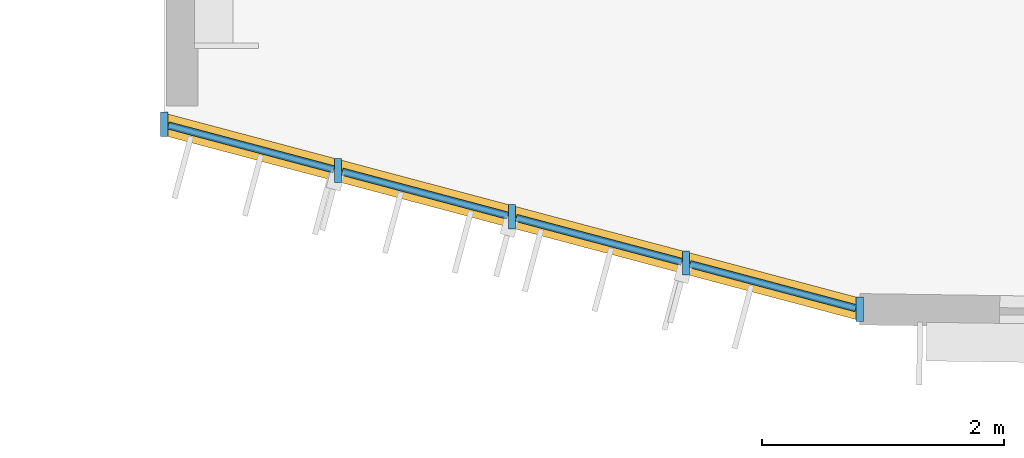
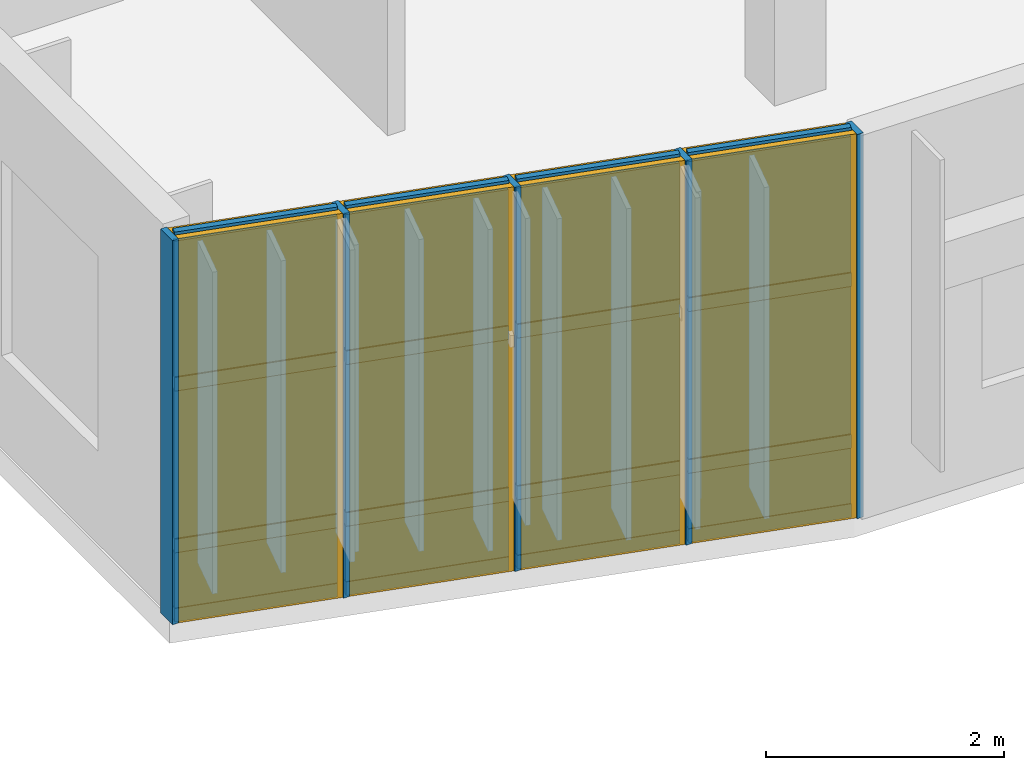
# One storey, part 86 of 122: 21 members, 12 plates, 1 curtain wall.
"""IFC4 building model written with IfcOpenShell, lengths in metres."""

from ifc_helpers import new_model, si_unit, direction, frame, frame_2d, origin, origin_2d, place, context, subcontext, project, spatial, rectangle, extrude, material, layer, layer_set, material_profile, profile_set, type_object, element, aggregate, save


model = new_model("IFC4")

# Units and contexts
model_context = context("Model", 3, precision=1e-05, world=origin(), true_north=direction((0.0, 1.0)))
body_context = subcontext(model_context, "Body", "Model", "MODEL_VIEW")
ifc_project = project(units=[si_unit("LENGTHUNIT", "METRE"), si_unit("AREAUNIT", "SQUARE_METRE"), si_unit("VOLUMEUNIT", "CUBIC_METRE"), si_unit("PLANEANGLEUNIT", "RADIAN"), si_unit("MASSUNIT", "GRAM", prefix="KILO")], contexts=[model_context])

# Member
ifc_material_1 = material(Name="Anodised Bronze Aluminium 6063-T6", Category="aluminium")
ifc_material_profile_1 = material_profile(ifc_material_1, rectangle(XDim=0.06005859375, YDim=0.199951171875, at=origin_2d()), Name="ALU MULLION 60x200")
ifc_profile_set_1 = profile_set([ifc_material_profile_1], Name="Anodised Bronze Aluminium 6063-T6")
member_type_1 = type_object("IfcMemberType", Name="Curtain-Wall Standard Mullion 60x200", PredefinedType="MULLION", material=ifc_profile_set_1)
site_placement = place(None, origin())
building_placement = place(site_placement, origin())
storey_placement = place(building_placement, frame((0.0, 0.0, 4.800048828125)))
member_1_placement = place(storey_placement, frame((125.39990234375, 18.800048828125, 0.0), z_axis=(0.0, 0.0, 1.0), x_axis=(1.0, 0.0, 0.0)))
member_1 = element("IfcMember", 1, at=member_1_placement, type_object=member_type_1, Name="Mullion CWM-03 CW-V4-DRUM-L01-S01-M01", PredefinedType="MULLION", context=body_context, shape_type="SweptSolid", body=[
    extrude(rectangle(XDim=0.06005859375, YDim=0.199951171875, at=origin_2d()), origin(), (0.0, 0.0, 1.0), 3.93994140625),
])

member_2_placement = place(storey_placement, frame((126.839599609375, 18.4169921875, 0.0), z_axis=(0.0, 0.0, 1.0), x_axis=(1.0, 0.0, 0.0)))
member_2 = element("IfcMember", 2, at=member_2_placement, type_object=member_type_1, Name="Mullion CWM-03 CW-V4-DRUM-L01-S01-M02", PredefinedType="MULLION", context=body_context, shape_type="SweptSolid", body=[
    extrude(rectangle(XDim=0.06005859375, YDim=0.199951171875, at=origin_2d()), origin(), (0.0, 0.0, 1.0), 3.93994140625),
])

member_3_placement = place(storey_placement, frame((128.279296875, 18.0341796875, 0.0), z_axis=(0.0, 0.0, 1.0), x_axis=(1.0, 0.0, 0.0)))
member_3 = element("IfcMember", 3, at=member_3_placement, type_object=member_type_1, Name="Mullion CWM-03 CW-V4-DRUM-L01-S01-M03", PredefinedType="MULLION", context=body_context, shape_type="SweptSolid", body=[
    extrude(rectangle(XDim=0.06005859375, YDim=0.199951171875, at=origin_2d()), origin(), (0.0, 0.0, 1.0), 3.93994140625),
])

member_4_placement = place(storey_placement, frame((129.718994140625, 17.651611328125, 0.0), z_axis=(0.0, 0.0, 1.0), x_axis=(1.0, 0.0, 0.0)))
member_4 = element("IfcMember", 4, at=member_4_placement, type_object=member_type_1, Name="Mullion CWM-03 CW-V4-DRUM-L01-S01-M04", PredefinedType="MULLION", context=body_context, shape_type="SweptSolid", body=[
    extrude(rectangle(XDim=0.06005859375, YDim=0.199951171875, at=origin_2d()), origin(), (0.0, 0.0, 1.0), 3.93994140625),
])

member_5_placement = place(storey_placement, frame((131.15869140625, 17.2685546875, 0.0), z_axis=(0.0, 0.0, 1.0), x_axis=(1.0, 0.0, 0.0)))
member_5 = element("IfcMember", 5, at=member_5_placement, type_object=member_type_1, Name="Mullion CWM-03 CW-V4-DRUM-L01-S01-M05", PredefinedType="MULLION", context=body_context, shape_type="SweptSolid", body=[
    extrude(rectangle(XDim=0.06005859375, YDim=0.199951171875, at=origin_2d()), origin(), (0.0, 0.0, 1.0), 3.93994140625),
])

ifc_material_profile_2 = material_profile(ifc_material_1, rectangle(XDim=0.06005859375, YDim=0.139892578125, at=origin_2d()), Name="ALU TRANSOM 60x140")
ifc_profile_set_2 = profile_set([ifc_material_profile_2], Name="Anodised Bronze Aluminium 6063-T6")
member_type_2 = type_object("IfcMemberType", Name="Curtain-Wall Transom 60x140", PredefinedType="USERDEFINED", material=ifc_profile_set_2)
member_6_placement = place(storey_placement, frame((125.433837890625, 18.791015625, 0.0400390625), z_axis=(0.966391732417, -0.257073957289, 0.0), x_axis=(0.257073957289, 0.966391732417, 0.0)))
member_6 = element("IfcMember", 6, at=member_6_placement, type_object=member_type_2, Name="Transom CWT-01 CW-V4-DRUM-L01-S01-T01.1", ObjectType="TRANSOM", PredefinedType="USERDEFINED", context=body_context, shape_type="SweptSolid", body=[
    extrude(rectangle(XDim=0.06005859375, YDim=0.139892578125, at=origin_2d()), origin(), (0.0, 0.0, 1.0), 1.419677734375),
])

member_7_placement = place(storey_placement, frame((125.433837890625, 18.791015625, 0.75), z_axis=(0.966391732417, -0.257073957289, 0.0), x_axis=(0.257073957289, 0.966391732417, 0.0)))
member_7 = element("IfcMember", 7, at=member_7_placement, type_object=member_type_2, Name="Transom CWT-01 CW-V4-DRUM-L01-S01-T01.2", ObjectType="TRANSOM", PredefinedType="USERDEFINED", context=body_context, shape_type="SweptSolid", body=[
    extrude(rectangle(XDim=0.06005859375, YDim=0.139892578125, at=origin_2d()), origin(), (0.0, 0.0, 1.0), 1.419677734375),
])

member_8_placement = place(storey_placement, frame((125.433837890625, 18.791015625, 2.40869140625), z_axis=(0.966391732417, -0.257073957289, 0.0), x_axis=(0.257073957289, 0.966391732417, 0.0)))
member_8 = element("IfcMember", 8, at=member_8_placement, type_object=member_type_2, Name="Transom CWT-01 CW-V4-DRUM-L01-S01-T01.3", ObjectType="TRANSOM", PredefinedType="USERDEFINED", context=body_context, shape_type="SweptSolid", body=[
    extrude(rectangle(XDim=0.06005859375, YDim=0.139892578125, at=origin_2d()), origin(), (0.0, 0.0, 1.0), 1.419677734375),
])

member_9_placement = place(storey_placement, frame((125.433837890625, 18.791015625, 3.89990234375), z_axis=(0.966391732417, -0.257073957289, 0.0), x_axis=(0.257073957289, 0.966391732417, 0.0)))
member_9 = element("IfcMember", 9, at=member_9_placement, type_object=member_type_2, Name="Transom CWT-01 CW-V4-DRUM-L01-S01-T01.4", ObjectType="TRANSOM", PredefinedType="USERDEFINED", context=body_context, shape_type="SweptSolid", body=[
    extrude(rectangle(XDim=0.06005859375, YDim=0.139892578125, at=origin_2d()), origin(), (0.0, 0.0, 1.0), 1.419677734375),
])

member_10_placement = place(storey_placement, frame((126.87353515625, 18.408203125, 0.0400390625), z_axis=(0.966391732417, -0.257073957289, 0.0), x_axis=(0.257073957289, 0.966391732417, 0.0)))
member_10 = element("IfcMember", 10, at=member_10_placement, type_object=member_type_2, Name="Transom CWT-01 CW-V4-DRUM-L01-S01-T02.1", ObjectType="TRANSOM", PredefinedType="USERDEFINED", context=body_context, shape_type="SweptSolid", body=[
    extrude(rectangle(XDim=0.06005859375, YDim=0.139892578125, at=origin_2d()), origin(), (0.0, 0.0, 1.0), 1.419677734375),
])

member_11_placement = place(storey_placement, frame((126.87353515625, 18.408203125, 0.75), z_axis=(0.966391732417, -0.257073957289, 0.0), x_axis=(0.257073957289, 0.966391732417, 0.0)))
member_11 = element("IfcMember", 11, at=member_11_placement, type_object=member_type_2, Name="Transom CWT-01 CW-V4-DRUM-L01-S01-T02.2", ObjectType="TRANSOM", PredefinedType="USERDEFINED", context=body_context, shape_type="SweptSolid", body=[
    extrude(rectangle(XDim=0.06005859375, YDim=0.139892578125, at=origin_2d()), origin(), (0.0, 0.0, 1.0), 1.419677734375),
])

member_12_placement = place(storey_placement, frame((126.87353515625, 18.408203125, 2.40869140625), z_axis=(0.966391732417, -0.257073957289, 0.0), x_axis=(0.257073957289, 0.966391732417, 0.0)))
member_12 = element("IfcMember", 12, at=member_12_placement, type_object=member_type_2, Name="Transom CWT-01 CW-V4-DRUM-L01-S01-T02.3", ObjectType="TRANSOM", PredefinedType="USERDEFINED", context=body_context, shape_type="SweptSolid", body=[
    extrude(rectangle(XDim=0.06005859375, YDim=0.139892578125, at=origin_2d()), origin(), (0.0, 0.0, 1.0), 1.419677734375),
])

member_13_placement = place(storey_placement, frame((126.87353515625, 18.408203125, 3.89990234375), z_axis=(0.966391732417, -0.257073957289, 0.0), x_axis=(0.257073957289, 0.966391732417, 0.0)))
member_13 = element("IfcMember", 13, at=member_13_placement, type_object=member_type_2, Name="Transom CWT-01 CW-V4-DRUM-L01-S01-T02.4", ObjectType="TRANSOM", PredefinedType="USERDEFINED", context=body_context, shape_type="SweptSolid", body=[
    extrude(rectangle(XDim=0.06005859375, YDim=0.139892578125, at=origin_2d()), origin(), (0.0, 0.0, 1.0), 1.419677734375),
])

member_14_placement = place(storey_placement, frame((128.313232421875, 18.025390625, 0.0400390625), z_axis=(0.966391732417, -0.257073957289, 0.0), x_axis=(0.257073957289, 0.966391732417, 0.0)))
member_14 = element("IfcMember", 14, at=member_14_placement, type_object=member_type_2, Name="Transom CWT-01 CW-V4-DRUM-L01-S01-T03.1", ObjectType="TRANSOM", PredefinedType="USERDEFINED", context=body_context, shape_type="SweptSolid", body=[
    extrude(rectangle(XDim=0.06005859375, YDim=0.139892578125, at=origin_2d()), origin(), (0.0, 0.0, 1.0), 1.419677734375),
])

member_15_placement = place(storey_placement, frame((128.313232421875, 18.025390625, 0.75), z_axis=(0.966391732417, -0.257073957289, 0.0), x_axis=(0.257073957289, 0.966391732417, 0.0)))
member_15 = element("IfcMember", 15, at=member_15_placement, type_object=member_type_2, Name="Transom CWT-01 CW-V4-DRUM-L01-S01-T03.2", ObjectType="TRANSOM", PredefinedType="USERDEFINED", context=body_context, shape_type="SweptSolid", body=[
    extrude(rectangle(XDim=0.06005859375, YDim=0.139892578125, at=origin_2d()), origin(), (0.0, 0.0, 1.0), 1.419677734375),
])

member_16_placement = place(storey_placement, frame((128.313232421875, 18.025390625, 2.40869140625), z_axis=(0.966391732417, -0.257073957289, 0.0), x_axis=(0.257073957289, 0.966391732417, 0.0)))
member_16 = element("IfcMember", 16, at=member_16_placement, type_object=member_type_2, Name="Transom CWT-01 CW-V4-DRUM-L01-S01-T03.3", ObjectType="TRANSOM", PredefinedType="USERDEFINED", context=body_context, shape_type="SweptSolid", body=[
    extrude(rectangle(XDim=0.06005859375, YDim=0.139892578125, at=origin_2d()), origin(), (0.0, 0.0, 1.0), 1.419677734375),
])

member_17_placement = place(storey_placement, frame((128.313232421875, 18.025390625, 3.89990234375), z_axis=(0.966391732417, -0.257073957289, 0.0), x_axis=(0.257073957289, 0.966391732417, 0.0)))
member_17 = element("IfcMember", 17, at=member_17_placement, type_object=member_type_2, Name="Transom CWT-01 CW-V4-DRUM-L01-S01-T03.4", ObjectType="TRANSOM", PredefinedType="USERDEFINED", context=body_context, shape_type="SweptSolid", body=[
    extrude(rectangle(XDim=0.06005859375, YDim=0.139892578125, at=origin_2d()), origin(), (0.0, 0.0, 1.0), 1.419677734375),
])

member_18_placement = place(storey_placement, frame((129.7529296875, 17.642578125, 0.0400390625), z_axis=(0.966391732417, -0.257073957289, 0.0), x_axis=(0.257073957289, 0.966391732417, 0.0)))
member_18 = element("IfcMember", 18, at=member_18_placement, type_object=member_type_2, Name="Transom CWT-01 CW-V4-DRUM-L01-S01-T04.1", ObjectType="TRANSOM", PredefinedType="USERDEFINED", context=body_context, shape_type="SweptSolid", body=[
    extrude(rectangle(XDim=0.06005859375, YDim=0.139892578125, at=origin_2d()), origin(), (0.0, 0.0, 1.0), 1.419677734375),
])

member_19_placement = place(storey_placement, frame((129.7529296875, 17.642578125, 0.75), z_axis=(0.966391732417, -0.257073957289, 0.0), x_axis=(0.257073957289, 0.966391732417, 0.0)))
member_19 = element("IfcMember", 19, at=member_19_placement, type_object=member_type_2, Name="Transom CWT-01 CW-V4-DRUM-L01-S01-T04.2", ObjectType="TRANSOM", PredefinedType="USERDEFINED", context=body_context, shape_type="SweptSolid", body=[
    extrude(rectangle(XDim=0.06005859375, YDim=0.139892578125, at=origin_2d()), origin(), (0.0, 0.0, 1.0), 1.419677734375),
])

member_20_placement = place(storey_placement, frame((129.7529296875, 17.642578125, 2.40869140625), z_axis=(0.966391732417, -0.257073957289, 0.0), x_axis=(0.257073957289, 0.966391732417, 0.0)))
member_20 = element("IfcMember", 20, at=member_20_placement, type_object=member_type_2, Name="Transom CWT-01 CW-V4-DRUM-L01-S01-T04.3", ObjectType="TRANSOM", PredefinedType="USERDEFINED", context=body_context, shape_type="SweptSolid", body=[
    extrude(rectangle(XDim=0.06005859375, YDim=0.139892578125, at=origin_2d()), origin(), (0.0, 0.0, 1.0), 1.419677734375),
])

member_21_placement = place(storey_placement, frame((129.7529296875, 17.642578125, 3.89990234375), z_axis=(0.966391732417, -0.257073957289, 0.0), x_axis=(0.257073957289, 0.966391732417, 0.0)))
member_21 = element("IfcMember", 21, at=member_21_placement, type_object=member_type_2, Name="Transom CWT-01 CW-V4-DRUM-L01-S01-T04.4", ObjectType="TRANSOM", PredefinedType="USERDEFINED", context=body_context, shape_type="SweptSolid", body=[
    extrude(rectangle(XDim=0.06005859375, YDim=0.139892578125, at=origin_2d()), origin(), (0.0, 0.0, 1.0), 1.419677734375),
])

# Plate
ifc_material_2 = material(Name="Insulated Bronze Aluminium Spandrel Panel", Category="aluminium")
ifc_layer_1 = layer(ifc_material_2, 0.050048828125, Name="Insulated Bronze Aluminium Spandrel Panel")
ifc_layer_set_1 = layer_set([ifc_layer_1], Name="Insulated Bronze Aluminium Spandrel Panel")
plate_type_1 = type_object("IfcPlateType", Name="Insulated Anodised Aluminium Spandrel Cassette 50", PredefinedType="CURTAIN_PANEL", material=ifc_layer_set_1)
plate_1_placement = place(storey_placement, frame((126.119873046875, 18.608642578125, 0.070068359375), z_axis=(0.0, 0.0, 1.0), x_axis=(0.966413318036, -0.256992798969, 0.0)))
plate_1 = element("IfcPlate", 22, at=plate_1_placement, type_object=plate_type_1, Name="Curtain Panel CWP-03 CW-V4-DRUM-L01-S01-P01.1", PredefinedType="CURTAIN_PANEL", context=body_context, shape_type="SweptSolid", body=[
    extrude(rectangle(XDim=1.419677734375, YDim=0.050048828125, at=origin_2d()), origin(), (0.0, 0.0, 1.0), 0.64990234375),
])

plate_2_placement = place(storey_placement, frame((127.5595703125, 18.2255859375, 0.070068359375), z_axis=(0.0, 0.0, 1.0), x_axis=(0.966413318036, -0.256992798969, 0.0)))
plate_2 = element("IfcPlate", 23, at=plate_2_placement, type_object=plate_type_1, Name="Curtain Panel CWP-03 CW-V4-DRUM-L01-S01-P02.1", PredefinedType="CURTAIN_PANEL", context=body_context, shape_type="SweptSolid", body=[
    extrude(rectangle(XDim=1.419677734375, YDim=0.050048828125, at=origin_2d()), origin(), (0.0, 0.0, 1.0), 0.64990234375),
])

plate_3_placement = place(storey_placement, frame((128.999267578125, 17.843017578125, 0.070068359375), z_axis=(0.0, 0.0, 1.0), x_axis=(0.966413318036, -0.256992798969, 0.0)))
plate_3 = element("IfcPlate", 24, at=plate_3_placement, type_object=plate_type_1, Name="Curtain Panel CWP-03 CW-V4-DRUM-L01-S01-P03.1", PredefinedType="CURTAIN_PANEL", context=body_context, shape_type="SweptSolid", body=[
    extrude(rectangle(XDim=1.419677734375, YDim=0.050048828125, at=origin_2d()), origin(), (0.0, 0.0, 1.0), 0.64990234375),
])

plate_4_placement = place(storey_placement, frame((130.43896484375, 17.4599609375, 0.070068359375), z_axis=(0.0, 0.0, 1.0), x_axis=(0.966413318036, -0.256992798969, 0.0)))
plate_4 = element("IfcPlate", 25, at=plate_4_placement, type_object=plate_type_1, Name="Curtain Panel CWP-03 CW-V4-DRUM-L01-S01-P04.1", PredefinedType="CURTAIN_PANEL", context=body_context, shape_type="SweptSolid", body=[
    extrude(rectangle(XDim=1.419677734375, YDim=0.050048828125, at=origin_2d()), origin(), (0.0, 0.0, 1.0), 0.64990234375),
])

ifc_material_3 = material(Name="Solar-Control Tempered Double Glazing", Category="glass")
ifc_layer_2 = layer(ifc_material_3, 0.0380859375, Name="Solar-Control Tempered Double Glazing")
ifc_layer_set_2 = layer_set([ifc_layer_2], Name="Solar-Control Tempered Double Glazing")
plate_type_2 = type_object("IfcPlateType", Name="Solar-Control Vision Glazing Unit 38", PredefinedType="CURTAIN_PANEL", material=ifc_layer_set_2)
plate_5_placement = place(storey_placement, frame((126.119873046875, 18.608642578125, 0.77978515625), z_axis=(0.0, 0.0, 1.0), x_axis=(0.966413318036, -0.256992798969, 0.0)))
plate_5 = element("IfcPlate", 26, at=plate_5_placement, type_object=plate_type_2, Name="Curtain Panel CWP-02 CW-V4-DRUM-L01-S01-P01.2", PredefinedType="CURTAIN_PANEL", context=body_context, shape_type="SweptSolid", body=[
    extrude(rectangle(XDim=1.419677734375, YDim=0.0380859375, at=origin_2d()), origin(), (0.0, 0.0, 1.0), 1.598876953125),
])

plate_6_placement = place(storey_placement, frame((126.119873046875, 18.608642578125, 2.438720703125), z_axis=(0.0, 0.0, 1.0), x_axis=(0.966413318036, -0.256992798969, 0.0)))
plate_6 = element("IfcPlate", 27, at=plate_6_placement, type_object=plate_type_2, Name="Curtain Panel CWP-02 CW-V4-DRUM-L01-S01-P01.3", PredefinedType="CURTAIN_PANEL", context=body_context, shape_type="SweptSolid", body=[
    extrude(rectangle(XDim=1.419677734375, YDim=0.0380859375, at=origin_2d()), origin(), (0.0, 0.0, 1.0), 1.43115234375),
])

plate_7_placement = place(storey_placement, frame((127.5595703125, 18.2255859375, 0.77978515625), z_axis=(0.0, 0.0, 1.0), x_axis=(0.966413318036, -0.256992798969, 0.0)))
plate_7 = element("IfcPlate", 28, at=plate_7_placement, type_object=plate_type_2, Name="Curtain Panel CWP-02 CW-V4-DRUM-L01-S01-P02.2", PredefinedType="CURTAIN_PANEL", context=body_context, shape_type="SweptSolid", body=[
    extrude(rectangle(XDim=1.419677734375, YDim=0.0380859375, at=origin_2d()), origin(), (0.0, 0.0, 1.0), 1.598876953125),
])

plate_8_placement = place(storey_placement, frame((127.5595703125, 18.2255859375, 2.438720703125), z_axis=(0.0, 0.0, 1.0), x_axis=(0.966413318036, -0.256992798969, 0.0)))
plate_8 = element("IfcPlate", 29, at=plate_8_placement, type_object=plate_type_2, Name="Curtain Panel CWP-02 CW-V4-DRUM-L01-S01-P02.3", PredefinedType="CURTAIN_PANEL", context=body_context, shape_type="SweptSolid", body=[
    extrude(rectangle(XDim=1.419677734375, YDim=0.0380859375, at=origin_2d()), origin(), (0.0, 0.0, 1.0), 1.43115234375),
])

plate_9_placement = place(storey_placement, frame((128.999267578125, 17.843017578125, 0.77978515625), z_axis=(0.0, 0.0, 1.0), x_axis=(0.966413318036, -0.256992798969, 0.0)))
plate_9 = element("IfcPlate", 30, at=plate_9_placement, type_object=plate_type_2, Name="Curtain Panel CWP-02 CW-V4-DRUM-L01-S01-P03.2", PredefinedType="CURTAIN_PANEL", context=body_context, shape_type="SweptSolid", body=[
    extrude(rectangle(XDim=1.419677734375, YDim=0.0380859375, at=origin_2d()), origin(), (0.0, 0.0, 1.0), 1.598876953125),
])

plate_10_placement = place(storey_placement, frame((128.999267578125, 17.843017578125, 2.438720703125), z_axis=(0.0, 0.0, 1.0), x_axis=(0.966413318036, -0.256992798969, 0.0)))
plate_10 = element("IfcPlate", 31, at=plate_10_placement, type_object=plate_type_2, Name="Curtain Panel CWP-02 CW-V4-DRUM-L01-S01-P03.3", PredefinedType="CURTAIN_PANEL", context=body_context, shape_type="SweptSolid", body=[
    extrude(rectangle(XDim=1.419677734375, YDim=0.0380859375, at=origin_2d()), origin(), (0.0, 0.0, 1.0), 1.43115234375),
])

plate_11_placement = place(storey_placement, frame((130.43896484375, 17.4599609375, 0.77978515625), z_axis=(0.0, 0.0, 1.0), x_axis=(0.966413318036, -0.256992798969, 0.0)))
plate_11 = element("IfcPlate", 32, at=plate_11_placement, type_object=plate_type_2, Name="Curtain Panel CWP-02 CW-V4-DRUM-L01-S01-P04.2", PredefinedType="CURTAIN_PANEL", context=body_context, shape_type="SweptSolid", body=[
    extrude(rectangle(XDim=1.419677734375, YDim=0.0380859375, at=origin_2d()), origin(), (0.0, 0.0, 1.0), 1.598876953125),
])

plate_12_placement = place(storey_placement, frame((130.43896484375, 17.4599609375, 2.438720703125), z_axis=(0.0, 0.0, 1.0), x_axis=(0.966413318036, -0.256992798969, 0.0)))
plate_12 = element("IfcPlate", 33, at=plate_12_placement, type_object=plate_type_2, Name="Curtain Panel CWP-02 CW-V4-DRUM-L01-S01-P04.3", PredefinedType="CURTAIN_PANEL", context=body_context, shape_type="SweptSolid", body=[
    extrude(rectangle(XDim=1.419677734375, YDim=0.0380859375, at=origin_2d()), origin(), (0.0, 0.0, 1.0), 1.43115234375),
])

# Site, building, storey
site = spatial("IfcSite", under=ifc_project, at=site_placement, CompositionType="ELEMENT")
building = spatial("IfcBuilding", under=site, at=building_placement, Name="Tazoul Stagehouse", CompositionType="ELEMENT")
storey = spatial("IfcBuildingStorey", under=building, at=storey_placement, Name="L01", CompositionType="ELEMENT", Elevation=4.800048828125)

# Curtain wall
curtain_wall_type = type_object("IfcCurtainWallType", Name="Studio Drum Faceted Curtain Wall", PredefinedType="NOTDEFINED", material=ifc_material_1)
curtain_wall_placement = place(storey_placement, frame((125.39990234375, 18.800048828125, 0.0), z_axis=(0.0, 0.0, 1.0), x_axis=(0.966409479, -0.25700723511, 0.0)))
curtain_wall = element("IfcCurtainWall", 34, at=curtain_wall_placement, inside=storey, type_object=curtain_wall_type, Name="L01 Curtain Wall CW-03 (CW-V4-DRUM-L01-S01)", PredefinedType="NOTDEFINED", context=body_context, shape_type="SweptSolid", body=[
    extrude(rectangle(XDim=5.958984375, YDim=0.179931640625, at=frame_2d((2.9794921875, 0.0))), origin(), (0.0, 0.0, 1.0), 3.93994140625),
])

aggregate(curtain_wall, [member_1, member_2, member_3, member_4, member_5, member_6, member_7, member_8, member_9, plate_1, plate_5, plate_6, member_10, member_11, member_12, member_13, plate_2, plate_7, plate_8, member_14, member_15, member_16, member_17, plate_3, plate_9, plate_10, member_18, member_19, member_20, member_21, plate_4, plate_11, plate_12])

save(model, "model.ifc")
